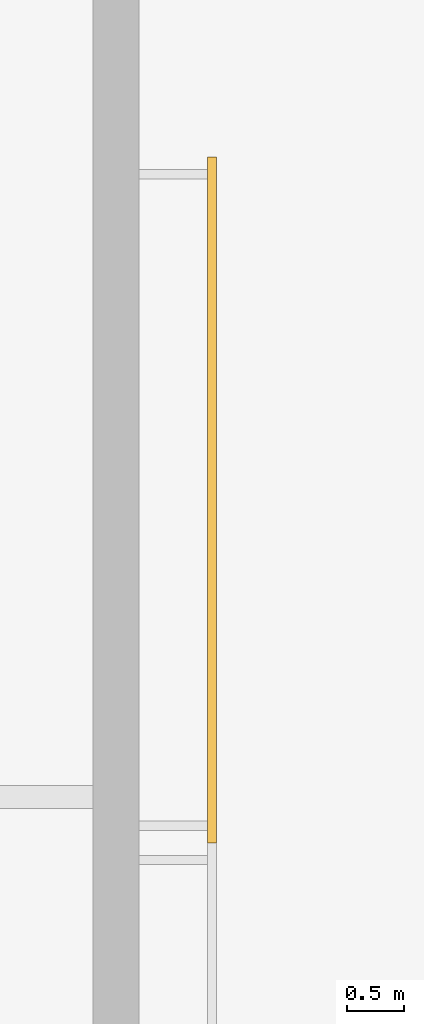
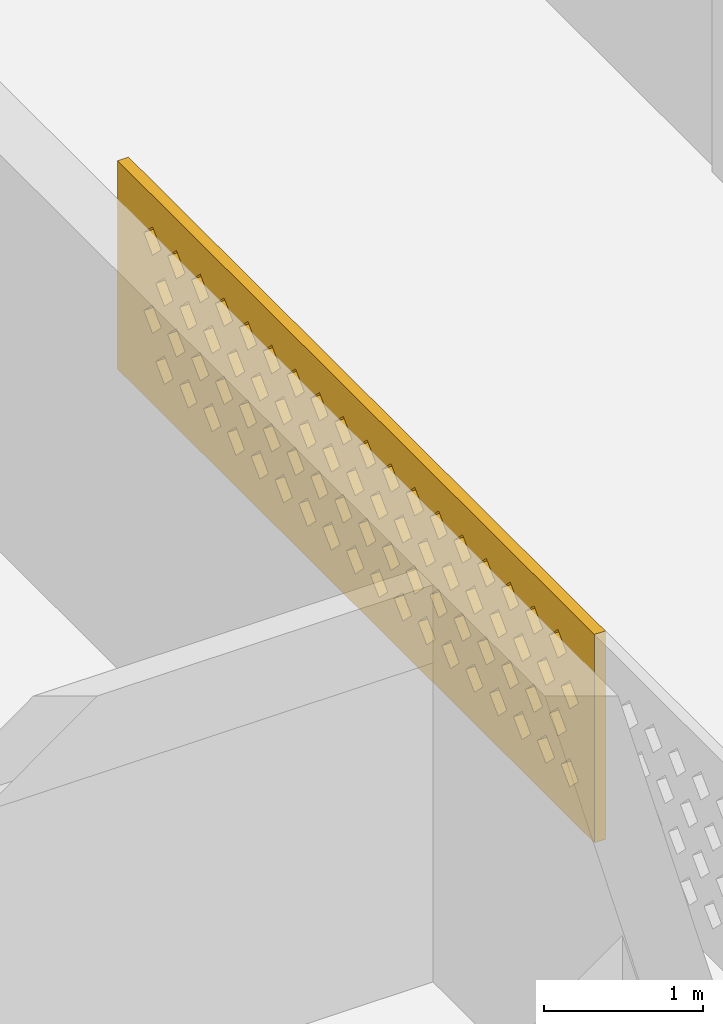
# One storey, part 14 of 18: 1 covering.
"""IFC4 building model written with IfcOpenShell, lengths in metres."""

from ifc_helpers import new_model, si_unit, direction, frame, origin, place, context, subcontext, project, spatial, polyline, outline, extrude, source, transform, mapped, material, material_profile, profile_set, type_object, element, save


model = new_model("IFC4")

# Units and contexts
model_context = context("Model", 3, precision=1e-05, world=origin(), true_north=direction((0.0, 1.0)))
body_context = subcontext(model_context, "Body", "Model", "MODEL_VIEW")
ifc_project = project(units=[si_unit("LENGTHUNIT", "METRE"), si_unit("AREAUNIT", "SQUARE_METRE"), si_unit("VOLUMEUNIT", "CUBIC_METRE"), si_unit("PLANEANGLEUNIT", "RADIAN"), si_unit("MASSUNIT", "GRAM", prefix="KILO")], contexts=[model_context])

# Site, building, storey
site_placement = place(None, origin())
site = spatial("IfcSite", under=ifc_project, at=site_placement, CompositionType="ELEMENT")
building_placement = place(site_placement, origin())
building = spatial("IfcBuilding", under=site, at=building_placement, Name="Poui Terraces", CompositionType="ELEMENT")
storey_placement = place(building_placement, frame((0.0, 0.0, 272.39990234375)))
storey = spatial("IfcBuildingStorey", under=building, at=storey_placement, Name="L75 CROWN", CompositionType="ELEMENT", Elevation=272.39990234375)

# Covering
ifc_material = material(Name="Terracotta screen", Category="masonry")
ifc_material_profile = material_profile(ifc_material, outline(polyline([(-3.0, -0.800048828125), (3.0, -0.800048828125), (3.0, 0.800048828125), (-3.0, 0.800048828125), (-3.0, -0.800048828125)]), holes=[polyline([(-2.800048828125, -0.449951171875), (-2.68994140625, -0.56005859375), (-2.580078125, -0.449951171875), (-2.68994140625, -0.340087890625), (-2.800048828125, -0.449951171875)]), polyline([(-2.5, -0.449951171875), (-2.389892578125, -0.56005859375), (-2.280029296875, -0.449951171875), (-2.389892578125, -0.340087890625), (-2.5, -0.449951171875)]), polyline([(-2.199951171875, -0.449951171875), (-2.090087890625, -0.56005859375), (-1.97998046875, -0.449951171875), (-2.090087890625, -0.340087890625), (-2.199951171875, -0.449951171875)]), polyline([(-1.89990234375, -0.449951171875), (-1.7900390625, -0.56005859375), (-1.679931640625, -0.449951171875), (-1.7900390625, -0.340087890625), (-1.89990234375, -0.449951171875)]), polyline([(-1.60009765625, -0.449951171875), (-1.489990234375, -0.56005859375), (-1.3798828125, -0.449951171875), (-1.489990234375, -0.340087890625), (-1.60009765625, -0.449951171875)]), polyline([(-1.300048828125, -0.449951171875), (-1.18994140625, -0.56005859375), (-1.080078125, -0.449951171875), (-1.18994140625, -0.340087890625), (-1.300048828125, -0.449951171875)]), polyline([(-1.0, -0.449951171875), (-0.889892578125, -0.56005859375), (-0.780029296875, -0.449951171875), (-0.889892578125, -0.340087890625), (-1.0, -0.449951171875)]), polyline([(-0.699951171875, -0.449951171875), (-0.590087890625, -0.56005859375), (-0.47998046875, -0.449951171875), (-0.590087890625, -0.340087890625), (-0.699951171875, -0.449951171875)]), polyline([(-0.39990234375, -0.449951171875), (-0.2900390625, -0.56005859375), (-0.179931640625, -0.449951171875), (-0.2900390625, -0.340087890625), (-0.39990234375, -0.449951171875)]), polyline([(-0.10009765625, -0.449951171875), (0.010009765625, -0.56005859375), (0.1201171875, -0.449951171875), (0.010009765625, -0.340087890625), (-0.10009765625, -0.449951171875)]), polyline([(0.199951171875, -0.449951171875), (0.31005859375, -0.56005859375), (0.419921875, -0.449951171875), (0.31005859375, -0.340087890625), (0.199951171875, -0.449951171875)]), polyline([(0.5, -0.449951171875), (0.610107421875, -0.56005859375), (0.719970703125, -0.449951171875), (0.610107421875, -0.340087890625), (0.5, -0.449951171875)]), polyline([(0.800048828125, -0.449951171875), (0.909912109375, -0.56005859375), (1.02001953125, -0.449951171875), (0.909912109375, -0.340087890625), (0.800048828125, -0.449951171875)]), polyline([(1.10009765625, -0.449951171875), (1.2099609375, -0.56005859375), (1.320068359375, -0.449951171875), (1.2099609375, -0.340087890625), (1.10009765625, -0.449951171875)]), polyline([(1.39990234375, -0.449951171875), (1.510009765625, -0.56005859375), (1.6201171875, -0.449951171875), (1.510009765625, -0.340087890625), (1.39990234375, -0.449951171875)]), polyline([(1.699951171875, -0.449951171875), (1.81005859375, -0.56005859375), (1.919921875, -0.449951171875), (1.81005859375, -0.340087890625), (1.699951171875, -0.449951171875)]), polyline([(2.0, -0.449951171875), (2.110107421875, -0.56005859375), (2.219970703125, -0.449951171875), (2.110107421875, -0.340087890625), (2.0, -0.449951171875)]), polyline([(2.300048828125, -0.449951171875), (2.409912109375, -0.56005859375), (2.52001953125, -0.449951171875), (2.409912109375, -0.340087890625), (2.300048828125, -0.449951171875)]), polyline([(-2.64990234375, -0.14990234375), (-2.5400390625, -0.260009765625), (-2.429931640625, -0.14990234375), (-2.5400390625, -0.0400390625), (-2.64990234375, -0.14990234375)]), polyline([(-2.35009765625, -0.14990234375), (-2.239990234375, -0.260009765625), (-2.1298828125, -0.14990234375), (-2.239990234375, -0.0400390625), (-2.35009765625, -0.14990234375)]), polyline([(-2.050048828125, -0.14990234375), (-1.93994140625, -0.260009765625), (-1.830078125, -0.14990234375), (-1.93994140625, -0.0400390625), (-2.050048828125, -0.14990234375)]), polyline([(-1.75, -0.14990234375), (-1.639892578125, -0.260009765625), (-1.530029296875, -0.14990234375), (-1.639892578125, -0.0400390625), (-1.75, -0.14990234375)]), polyline([(-1.449951171875, -0.14990234375), (-1.340087890625, -0.260009765625), (-1.22998046875, -0.14990234375), (-1.340087890625, -0.0400390625), (-1.449951171875, -0.14990234375)]), polyline([(-1.14990234375, -0.14990234375), (-1.0400390625, -0.260009765625), (-0.929931640625, -0.14990234375), (-1.0400390625, -0.0400390625), (-1.14990234375, -0.14990234375)]), polyline([(-0.85009765625, -0.14990234375), (-0.739990234375, -0.260009765625), (-0.6298828125, -0.14990234375), (-0.739990234375, -0.0400390625), (-0.85009765625, -0.14990234375)]), polyline([(-0.550048828125, -0.14990234375), (-0.43994140625, -0.260009765625), (-0.330078125, -0.14990234375), (-0.43994140625, -0.0400390625), (-0.550048828125, -0.14990234375)]), polyline([(-0.25, -0.14990234375), (-0.139892578125, -0.260009765625), (-0.030029296875, -0.14990234375), (-0.139892578125, -0.0400390625), (-0.25, -0.14990234375)]), polyline([(0.050048828125, -0.14990234375), (0.159912109375, -0.260009765625), (0.27001953125, -0.14990234375), (0.159912109375, -0.0400390625), (0.050048828125, -0.14990234375)]), polyline([(0.35009765625, -0.14990234375), (0.4599609375, -0.260009765625), (0.570068359375, -0.14990234375), (0.4599609375, -0.0400390625), (0.35009765625, -0.14990234375)]), polyline([(0.64990234375, -0.14990234375), (0.760009765625, -0.260009765625), (0.8701171875, -0.14990234375), (0.760009765625, -0.0400390625), (0.64990234375, -0.14990234375)]), polyline([(0.949951171875, -0.14990234375), (1.06005859375, -0.260009765625), (1.169921875, -0.14990234375), (1.06005859375, -0.0400390625), (0.949951171875, -0.14990234375)]), polyline([(1.25, -0.14990234375), (1.360107421875, -0.260009765625), (1.469970703125, -0.14990234375), (1.360107421875, -0.0400390625), (1.25, -0.14990234375)]), polyline([(1.550048828125, -0.14990234375), (1.659912109375, -0.260009765625), (1.77001953125, -0.14990234375), (1.659912109375, -0.0400390625), (1.550048828125, -0.14990234375)]), polyline([(1.85009765625, -0.14990234375), (1.9599609375, -0.260009765625), (2.070068359375, -0.14990234375), (1.9599609375, -0.0400390625), (1.85009765625, -0.14990234375)]), polyline([(2.14990234375, -0.14990234375), (2.260009765625, -0.260009765625), (2.3701171875, -0.14990234375), (2.260009765625, -0.0400390625), (2.14990234375, -0.14990234375)]), polyline([(2.449951171875, -0.14990234375), (2.56005859375, -0.260009765625), (2.669921875, -0.14990234375), (2.56005859375, -0.0400390625), (2.449951171875, -0.14990234375)]), polyline([(-2.800048828125, 0.14990234375), (-2.68994140625, 0.0400390625), (-2.580078125, 0.14990234375), (-2.68994140625, 0.260009765625), (-2.800048828125, 0.14990234375)]), polyline([(-2.5, 0.14990234375), (-2.389892578125, 0.0400390625), (-2.280029296875, 0.14990234375), (-2.389892578125, 0.260009765625), (-2.5, 0.14990234375)]), polyline([(-2.199951171875, 0.14990234375), (-2.090087890625, 0.0400390625), (-1.97998046875, 0.14990234375), (-2.090087890625, 0.260009765625), (-2.199951171875, 0.14990234375)]), polyline([(-1.89990234375, 0.14990234375), (-1.7900390625, 0.0400390625), (-1.679931640625, 0.14990234375), (-1.7900390625, 0.260009765625), (-1.89990234375, 0.14990234375)]), polyline([(-1.60009765625, 0.14990234375), (-1.489990234375, 0.0400390625), (-1.3798828125, 0.14990234375), (-1.489990234375, 0.260009765625), (-1.60009765625, 0.14990234375)]), polyline([(-1.300048828125, 0.14990234375), (-1.18994140625, 0.0400390625), (-1.080078125, 0.14990234375), (-1.18994140625, 0.260009765625), (-1.300048828125, 0.14990234375)]), polyline([(-1.0, 0.14990234375), (-0.889892578125, 0.0400390625), (-0.780029296875, 0.14990234375), (-0.889892578125, 0.260009765625), (-1.0, 0.14990234375)]), polyline([(-0.699951171875, 0.14990234375), (-0.590087890625, 0.0400390625), (-0.47998046875, 0.14990234375), (-0.590087890625, 0.260009765625), (-0.699951171875, 0.14990234375)]), polyline([(-0.39990234375, 0.14990234375), (-0.2900390625, 0.0400390625), (-0.179931640625, 0.14990234375), (-0.2900390625, 0.260009765625), (-0.39990234375, 0.14990234375)]), polyline([(-0.10009765625, 0.14990234375), (0.010009765625, 0.0400390625), (0.1201171875, 0.14990234375), (0.010009765625, 0.260009765625), (-0.10009765625, 0.14990234375)]), polyline([(0.199951171875, 0.14990234375), (0.31005859375, 0.0400390625), (0.419921875, 0.14990234375), (0.31005859375, 0.260009765625), (0.199951171875, 0.14990234375)]), polyline([(0.5, 0.14990234375), (0.610107421875, 0.0400390625), (0.719970703125, 0.14990234375), (0.610107421875, 0.260009765625), (0.5, 0.14990234375)]), polyline([(0.800048828125, 0.14990234375), (0.909912109375, 0.0400390625), (1.02001953125, 0.14990234375), (0.909912109375, 0.260009765625), (0.800048828125, 0.14990234375)]), polyline([(1.10009765625, 0.14990234375), (1.2099609375, 0.0400390625), (1.320068359375, 0.14990234375), (1.2099609375, 0.260009765625), (1.10009765625, 0.14990234375)]), polyline([(1.39990234375, 0.14990234375), (1.510009765625, 0.0400390625), (1.6201171875, 0.14990234375), (1.510009765625, 0.260009765625), (1.39990234375, 0.14990234375)]), polyline([(1.699951171875, 0.14990234375), (1.81005859375, 0.0400390625), (1.919921875, 0.14990234375), (1.81005859375, 0.260009765625), (1.699951171875, 0.14990234375)]), polyline([(2.0, 0.14990234375), (2.110107421875, 0.0400390625), (2.219970703125, 0.14990234375), (2.110107421875, 0.260009765625), (2.0, 0.14990234375)]), polyline([(2.300048828125, 0.14990234375), (2.409912109375, 0.0400390625), (2.52001953125, 0.14990234375), (2.409912109375, 0.260009765625), (2.300048828125, 0.14990234375)]), polyline([(-2.64990234375, 0.449951171875), (-2.5400390625, 0.340087890625), (-2.429931640625, 0.449951171875), (-2.5400390625, 0.56005859375), (-2.64990234375, 0.449951171875)]), polyline([(-2.35009765625, 0.449951171875), (-2.239990234375, 0.340087890625), (-2.1298828125, 0.449951171875), (-2.239990234375, 0.56005859375), (-2.35009765625, 0.449951171875)]), polyline([(-2.050048828125, 0.449951171875), (-1.93994140625, 0.340087890625), (-1.830078125, 0.449951171875), (-1.93994140625, 0.56005859375), (-2.050048828125, 0.449951171875)]), polyline([(-1.75, 0.449951171875), (-1.639892578125, 0.340087890625), (-1.530029296875, 0.449951171875), (-1.639892578125, 0.56005859375), (-1.75, 0.449951171875)]), polyline([(-1.449951171875, 0.449951171875), (-1.340087890625, 0.340087890625), (-1.22998046875, 0.449951171875), (-1.340087890625, 0.56005859375), (-1.449951171875, 0.449951171875)]), polyline([(-1.14990234375, 0.449951171875), (-1.0400390625, 0.340087890625), (-0.929931640625, 0.449951171875), (-1.0400390625, 0.56005859375), (-1.14990234375, 0.449951171875)]), polyline([(-0.85009765625, 0.449951171875), (-0.739990234375, 0.340087890625), (-0.6298828125, 0.449951171875), (-0.739990234375, 0.56005859375), (-0.85009765625, 0.449951171875)]), polyline([(-0.550048828125, 0.449951171875), (-0.43994140625, 0.340087890625), (-0.330078125, 0.449951171875), (-0.43994140625, 0.56005859375), (-0.550048828125, 0.449951171875)]), polyline([(-0.25, 0.449951171875), (-0.139892578125, 0.340087890625), (-0.030029296875, 0.449951171875), (-0.139892578125, 0.56005859375), (-0.25, 0.449951171875)]), polyline([(0.050048828125, 0.449951171875), (0.159912109375, 0.340087890625), (0.27001953125, 0.449951171875), (0.159912109375, 0.56005859375), (0.050048828125, 0.449951171875)]), polyline([(0.35009765625, 0.449951171875), (0.4599609375, 0.340087890625), (0.570068359375, 0.449951171875), (0.4599609375, 0.56005859375), (0.35009765625, 0.449951171875)]), polyline([(0.64990234375, 0.449951171875), (0.760009765625, 0.340087890625), (0.8701171875, 0.449951171875), (0.760009765625, 0.56005859375), (0.64990234375, 0.449951171875)]), polyline([(0.949951171875, 0.449951171875), (1.06005859375, 0.340087890625), (1.169921875, 0.449951171875), (1.06005859375, 0.56005859375), (0.949951171875, 0.449951171875)]), polyline([(1.25, 0.449951171875), (1.360107421875, 0.340087890625), (1.469970703125, 0.449951171875), (1.360107421875, 0.56005859375), (1.25, 0.449951171875)]), polyline([(1.550048828125, 0.449951171875), (1.659912109375, 0.340087890625), (1.77001953125, 0.449951171875), (1.659912109375, 0.56005859375), (1.550048828125, 0.449951171875)]), polyline([(1.85009765625, 0.449951171875), (1.9599609375, 0.340087890625), (2.070068359375, 0.449951171875), (1.9599609375, 0.56005859375), (1.85009765625, 0.449951171875)]), polyline([(2.14990234375, 0.449951171875), (2.260009765625, 0.340087890625), (2.3701171875, 0.449951171875), (2.260009765625, 0.56005859375), (2.14990234375, 0.449951171875)]), polyline([(2.449951171875, 0.449951171875), (2.56005859375, 0.340087890625), (2.669921875, 0.449951171875), (2.56005859375, 0.56005859375), (2.449951171875, 0.449951171875)])]), Name="TERRACOTTA SOLAR SCREEN 6000X1600")
ifc_profile_set = profile_set([ifc_material_profile], Name="Terracotta screen")
covering_type = type_object("IfcCoveringType", Name="TERRACOTTA SOLAR SCREEN 6000X1600", PredefinedType="CLADDING", material=ifc_profile_set)
shared_shape = source(origin(), body_context, "Body", "SweptSolid", [
    extrude(outline(polyline([(-3.0, -0.800048828125), (3.0, -0.800048828125), (3.0, 0.800048828125), (-3.0, 0.800048828125), (-3.0, -0.800048828125)]), holes=[polyline([(-2.800048828125, -0.449951171875), (-2.68994140625, -0.56005859375), (-2.580078125, -0.449951171875), (-2.68994140625, -0.340087890625), (-2.800048828125, -0.449951171875)]), polyline([(-2.5, -0.449951171875), (-2.389892578125, -0.56005859375), (-2.280029296875, -0.449951171875), (-2.389892578125, -0.340087890625), (-2.5, -0.449951171875)]), polyline([(-2.199951171875, -0.449951171875), (-2.090087890625, -0.56005859375), (-1.97998046875, -0.449951171875), (-2.090087890625, -0.340087890625), (-2.199951171875, -0.449951171875)]), polyline([(-1.89990234375, -0.449951171875), (-1.7900390625, -0.56005859375), (-1.679931640625, -0.449951171875), (-1.7900390625, -0.340087890625), (-1.89990234375, -0.449951171875)]), polyline([(-1.60009765625, -0.449951171875), (-1.489990234375, -0.56005859375), (-1.3798828125, -0.449951171875), (-1.489990234375, -0.340087890625), (-1.60009765625, -0.449951171875)]), polyline([(-1.300048828125, -0.449951171875), (-1.18994140625, -0.56005859375), (-1.080078125, -0.449951171875), (-1.18994140625, -0.340087890625), (-1.300048828125, -0.449951171875)]), polyline([(-1.0, -0.449951171875), (-0.889892578125, -0.56005859375), (-0.780029296875, -0.449951171875), (-0.889892578125, -0.340087890625), (-1.0, -0.449951171875)]), polyline([(-0.699951171875, -0.449951171875), (-0.590087890625, -0.56005859375), (-0.47998046875, -0.449951171875), (-0.590087890625, -0.340087890625), (-0.699951171875, -0.449951171875)]), polyline([(-0.39990234375, -0.449951171875), (-0.2900390625, -0.56005859375), (-0.179931640625, -0.449951171875), (-0.2900390625, -0.340087890625), (-0.39990234375, -0.449951171875)]), polyline([(-0.10009765625, -0.449951171875), (0.010009765625, -0.56005859375), (0.1201171875, -0.449951171875), (0.010009765625, -0.340087890625), (-0.10009765625, -0.449951171875)]), polyline([(0.199951171875, -0.449951171875), (0.31005859375, -0.56005859375), (0.419921875, -0.449951171875), (0.31005859375, -0.340087890625), (0.199951171875, -0.449951171875)]), polyline([(0.5, -0.449951171875), (0.610107421875, -0.56005859375), (0.719970703125, -0.449951171875), (0.610107421875, -0.340087890625), (0.5, -0.449951171875)]), polyline([(0.800048828125, -0.449951171875), (0.909912109375, -0.56005859375), (1.02001953125, -0.449951171875), (0.909912109375, -0.340087890625), (0.800048828125, -0.449951171875)]), polyline([(1.10009765625, -0.449951171875), (1.2099609375, -0.56005859375), (1.320068359375, -0.449951171875), (1.2099609375, -0.340087890625), (1.10009765625, -0.449951171875)]), polyline([(1.39990234375, -0.449951171875), (1.510009765625, -0.56005859375), (1.6201171875, -0.449951171875), (1.510009765625, -0.340087890625), (1.39990234375, -0.449951171875)]), polyline([(1.699951171875, -0.449951171875), (1.81005859375, -0.56005859375), (1.919921875, -0.449951171875), (1.81005859375, -0.340087890625), (1.699951171875, -0.449951171875)]), polyline([(2.0, -0.449951171875), (2.110107421875, -0.56005859375), (2.219970703125, -0.449951171875), (2.110107421875, -0.340087890625), (2.0, -0.449951171875)]), polyline([(2.300048828125, -0.449951171875), (2.409912109375, -0.56005859375), (2.52001953125, -0.449951171875), (2.409912109375, -0.340087890625), (2.300048828125, -0.449951171875)]), polyline([(-2.64990234375, -0.14990234375), (-2.5400390625, -0.260009765625), (-2.429931640625, -0.14990234375), (-2.5400390625, -0.0400390625), (-2.64990234375, -0.14990234375)]), polyline([(-2.35009765625, -0.14990234375), (-2.239990234375, -0.260009765625), (-2.1298828125, -0.14990234375), (-2.239990234375, -0.0400390625), (-2.35009765625, -0.14990234375)]), polyline([(-2.050048828125, -0.14990234375), (-1.93994140625, -0.260009765625), (-1.830078125, -0.14990234375), (-1.93994140625, -0.0400390625), (-2.050048828125, -0.14990234375)]), polyline([(-1.75, -0.14990234375), (-1.639892578125, -0.260009765625), (-1.530029296875, -0.14990234375), (-1.639892578125, -0.0400390625), (-1.75, -0.14990234375)]), polyline([(-1.449951171875, -0.14990234375), (-1.340087890625, -0.260009765625), (-1.22998046875, -0.14990234375), (-1.340087890625, -0.0400390625), (-1.449951171875, -0.14990234375)]), polyline([(-1.14990234375, -0.14990234375), (-1.0400390625, -0.260009765625), (-0.929931640625, -0.14990234375), (-1.0400390625, -0.0400390625), (-1.14990234375, -0.14990234375)]), polyline([(-0.85009765625, -0.14990234375), (-0.739990234375, -0.260009765625), (-0.6298828125, -0.14990234375), (-0.739990234375, -0.0400390625), (-0.85009765625, -0.14990234375)]), polyline([(-0.550048828125, -0.14990234375), (-0.43994140625, -0.260009765625), (-0.330078125, -0.14990234375), (-0.43994140625, -0.0400390625), (-0.550048828125, -0.14990234375)]), polyline([(-0.25, -0.14990234375), (-0.139892578125, -0.260009765625), (-0.030029296875, -0.14990234375), (-0.139892578125, -0.0400390625), (-0.25, -0.14990234375)]), polyline([(0.050048828125, -0.14990234375), (0.159912109375, -0.260009765625), (0.27001953125, -0.14990234375), (0.159912109375, -0.0400390625), (0.050048828125, -0.14990234375)]), polyline([(0.35009765625, -0.14990234375), (0.4599609375, -0.260009765625), (0.570068359375, -0.14990234375), (0.4599609375, -0.0400390625), (0.35009765625, -0.14990234375)]), polyline([(0.64990234375, -0.14990234375), (0.760009765625, -0.260009765625), (0.8701171875, -0.14990234375), (0.760009765625, -0.0400390625), (0.64990234375, -0.14990234375)]), polyline([(0.949951171875, -0.14990234375), (1.06005859375, -0.260009765625), (1.169921875, -0.14990234375), (1.06005859375, -0.0400390625), (0.949951171875, -0.14990234375)]), polyline([(1.25, -0.14990234375), (1.360107421875, -0.260009765625), (1.469970703125, -0.14990234375), (1.360107421875, -0.0400390625), (1.25, -0.14990234375)]), polyline([(1.550048828125, -0.14990234375), (1.659912109375, -0.260009765625), (1.77001953125, -0.14990234375), (1.659912109375, -0.0400390625), (1.550048828125, -0.14990234375)]), polyline([(1.85009765625, -0.14990234375), (1.9599609375, -0.260009765625), (2.070068359375, -0.14990234375), (1.9599609375, -0.0400390625), (1.85009765625, -0.14990234375)]), polyline([(2.14990234375, -0.14990234375), (2.260009765625, -0.260009765625), (2.3701171875, -0.14990234375), (2.260009765625, -0.0400390625), (2.14990234375, -0.14990234375)]), polyline([(2.449951171875, -0.14990234375), (2.56005859375, -0.260009765625), (2.669921875, -0.14990234375), (2.56005859375, -0.0400390625), (2.449951171875, -0.14990234375)]), polyline([(-2.800048828125, 0.14990234375), (-2.68994140625, 0.0400390625), (-2.580078125, 0.14990234375), (-2.68994140625, 0.260009765625), (-2.800048828125, 0.14990234375)]), polyline([(-2.5, 0.14990234375), (-2.389892578125, 0.0400390625), (-2.280029296875, 0.14990234375), (-2.389892578125, 0.260009765625), (-2.5, 0.14990234375)]), polyline([(-2.199951171875, 0.14990234375), (-2.090087890625, 0.0400390625), (-1.97998046875, 0.14990234375), (-2.090087890625, 0.260009765625), (-2.199951171875, 0.14990234375)]), polyline([(-1.89990234375, 0.14990234375), (-1.7900390625, 0.0400390625), (-1.679931640625, 0.14990234375), (-1.7900390625, 0.260009765625), (-1.89990234375, 0.14990234375)]), polyline([(-1.60009765625, 0.14990234375), (-1.489990234375, 0.0400390625), (-1.3798828125, 0.14990234375), (-1.489990234375, 0.260009765625), (-1.60009765625, 0.14990234375)]), polyline([(-1.300048828125, 0.14990234375), (-1.18994140625, 0.0400390625), (-1.080078125, 0.14990234375), (-1.18994140625, 0.260009765625), (-1.300048828125, 0.14990234375)]), polyline([(-1.0, 0.14990234375), (-0.889892578125, 0.0400390625), (-0.780029296875, 0.14990234375), (-0.889892578125, 0.260009765625), (-1.0, 0.14990234375)]), polyline([(-0.699951171875, 0.14990234375), (-0.590087890625, 0.0400390625), (-0.47998046875, 0.14990234375), (-0.590087890625, 0.260009765625), (-0.699951171875, 0.14990234375)]), polyline([(-0.39990234375, 0.14990234375), (-0.2900390625, 0.0400390625), (-0.179931640625, 0.14990234375), (-0.2900390625, 0.260009765625), (-0.39990234375, 0.14990234375)]), polyline([(-0.10009765625, 0.14990234375), (0.010009765625, 0.0400390625), (0.1201171875, 0.14990234375), (0.010009765625, 0.260009765625), (-0.10009765625, 0.14990234375)]), polyline([(0.199951171875, 0.14990234375), (0.31005859375, 0.0400390625), (0.419921875, 0.14990234375), (0.31005859375, 0.260009765625), (0.199951171875, 0.14990234375)]), polyline([(0.5, 0.14990234375), (0.610107421875, 0.0400390625), (0.719970703125, 0.14990234375), (0.610107421875, 0.260009765625), (0.5, 0.14990234375)]), polyline([(0.800048828125, 0.14990234375), (0.909912109375, 0.0400390625), (1.02001953125, 0.14990234375), (0.909912109375, 0.260009765625), (0.800048828125, 0.14990234375)]), polyline([(1.10009765625, 0.14990234375), (1.2099609375, 0.0400390625), (1.320068359375, 0.14990234375), (1.2099609375, 0.260009765625), (1.10009765625, 0.14990234375)]), polyline([(1.39990234375, 0.14990234375), (1.510009765625, 0.0400390625), (1.6201171875, 0.14990234375), (1.510009765625, 0.260009765625), (1.39990234375, 0.14990234375)]), polyline([(1.699951171875, 0.14990234375), (1.81005859375, 0.0400390625), (1.919921875, 0.14990234375), (1.81005859375, 0.260009765625), (1.699951171875, 0.14990234375)]), polyline([(2.0, 0.14990234375), (2.110107421875, 0.0400390625), (2.219970703125, 0.14990234375), (2.110107421875, 0.260009765625), (2.0, 0.14990234375)]), polyline([(2.300048828125, 0.14990234375), (2.409912109375, 0.0400390625), (2.52001953125, 0.14990234375), (2.409912109375, 0.260009765625), (2.300048828125, 0.14990234375)]), polyline([(-2.64990234375, 0.449951171875), (-2.5400390625, 0.340087890625), (-2.429931640625, 0.449951171875), (-2.5400390625, 0.56005859375), (-2.64990234375, 0.449951171875)]), polyline([(-2.35009765625, 0.449951171875), (-2.239990234375, 0.340087890625), (-2.1298828125, 0.449951171875), (-2.239990234375, 0.56005859375), (-2.35009765625, 0.449951171875)]), polyline([(-2.050048828125, 0.449951171875), (-1.93994140625, 0.340087890625), (-1.830078125, 0.449951171875), (-1.93994140625, 0.56005859375), (-2.050048828125, 0.449951171875)]), polyline([(-1.75, 0.449951171875), (-1.639892578125, 0.340087890625), (-1.530029296875, 0.449951171875), (-1.639892578125, 0.56005859375), (-1.75, 0.449951171875)]), polyline([(-1.449951171875, 0.449951171875), (-1.340087890625, 0.340087890625), (-1.22998046875, 0.449951171875), (-1.340087890625, 0.56005859375), (-1.449951171875, 0.449951171875)]), polyline([(-1.14990234375, 0.449951171875), (-1.0400390625, 0.340087890625), (-0.929931640625, 0.449951171875), (-1.0400390625, 0.56005859375), (-1.14990234375, 0.449951171875)]), polyline([(-0.85009765625, 0.449951171875), (-0.739990234375, 0.340087890625), (-0.6298828125, 0.449951171875), (-0.739990234375, 0.56005859375), (-0.85009765625, 0.449951171875)]), polyline([(-0.550048828125, 0.449951171875), (-0.43994140625, 0.340087890625), (-0.330078125, 0.449951171875), (-0.43994140625, 0.56005859375), (-0.550048828125, 0.449951171875)]), polyline([(-0.25, 0.449951171875), (-0.139892578125, 0.340087890625), (-0.030029296875, 0.449951171875), (-0.139892578125, 0.56005859375), (-0.25, 0.449951171875)]), polyline([(0.050048828125, 0.449951171875), (0.159912109375, 0.340087890625), (0.27001953125, 0.449951171875), (0.159912109375, 0.56005859375), (0.050048828125, 0.449951171875)]), polyline([(0.35009765625, 0.449951171875), (0.4599609375, 0.340087890625), (0.570068359375, 0.449951171875), (0.4599609375, 0.56005859375), (0.35009765625, 0.449951171875)]), polyline([(0.64990234375, 0.449951171875), (0.760009765625, 0.340087890625), (0.8701171875, 0.449951171875), (0.760009765625, 0.56005859375), (0.64990234375, 0.449951171875)]), polyline([(0.949951171875, 0.449951171875), (1.06005859375, 0.340087890625), (1.169921875, 0.449951171875), (1.06005859375, 0.56005859375), (0.949951171875, 0.449951171875)]), polyline([(1.25, 0.449951171875), (1.360107421875, 0.340087890625), (1.469970703125, 0.449951171875), (1.360107421875, 0.56005859375), (1.25, 0.449951171875)]), polyline([(1.550048828125, 0.449951171875), (1.659912109375, 0.340087890625), (1.77001953125, 0.449951171875), (1.659912109375, 0.56005859375), (1.550048828125, 0.449951171875)]), polyline([(1.85009765625, 0.449951171875), (1.9599609375, 0.340087890625), (2.070068359375, 0.449951171875), (1.9599609375, 0.56005859375), (1.85009765625, 0.449951171875)]), polyline([(2.14990234375, 0.449951171875), (2.260009765625, 0.340087890625), (2.3701171875, 0.449951171875), (2.260009765625, 0.56005859375), (2.14990234375, 0.449951171875)]), polyline([(2.449951171875, 0.449951171875), (2.56005859375, 0.340087890625), (2.669921875, 0.449951171875), (2.56005859375, 0.56005859375), (2.449951171875, 0.449951171875)])]), origin(), (0.0, 0.0, 1.0), 0.079833984375),
])
covering_placement = place(storey_placement, frame((48.800048828125, 33.0, 1.7001953125), z_axis=(1.0, 0.0, 0.0), x_axis=(0.0, 1.0, 0.0)))
element("IfcCovering", 1, at=covering_placement, inside=storey, type_object=covering_type, Name="SOLAR SCREEN", PredefinedType="CLADDING", context=body_context, shape_type="MappedRepresentation", body=[
    mapped(shared_shape, transform((0.0, 0.0, 0.0))),
])

save(model, "model.ifc")
